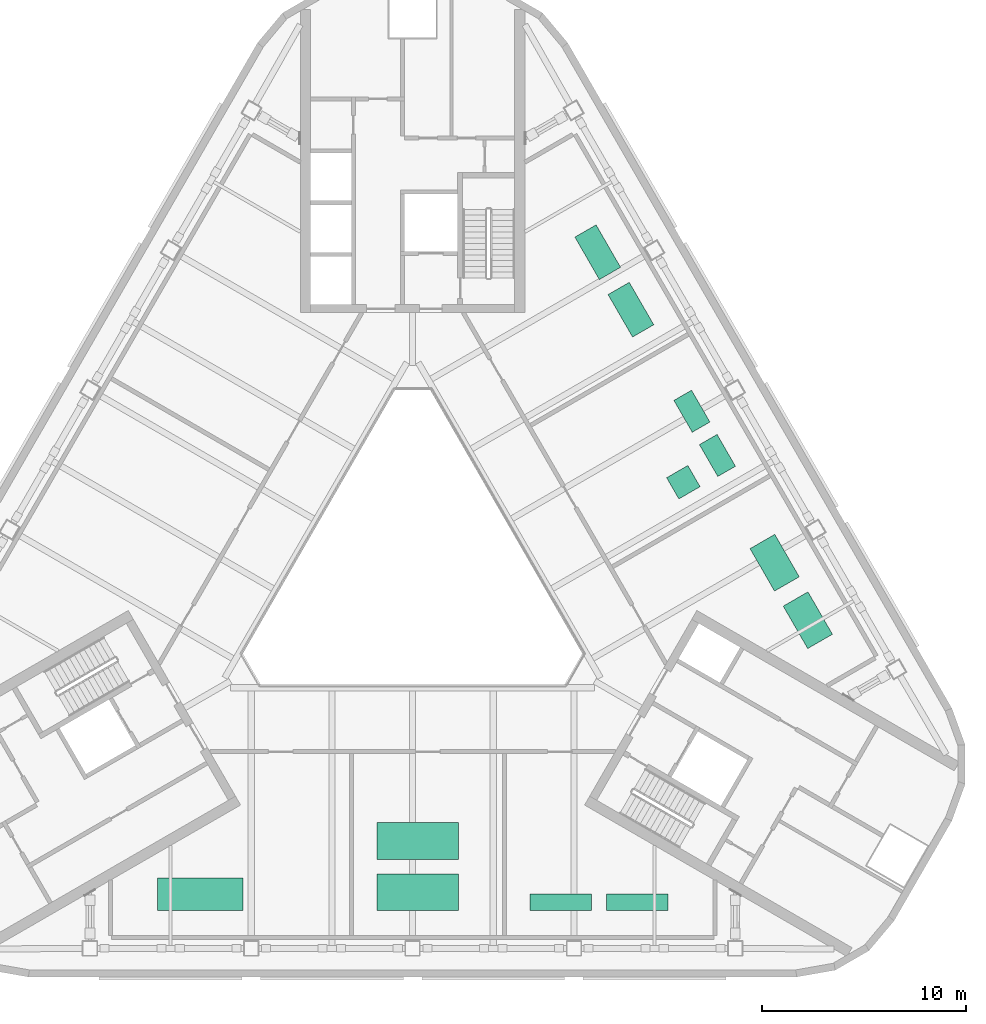
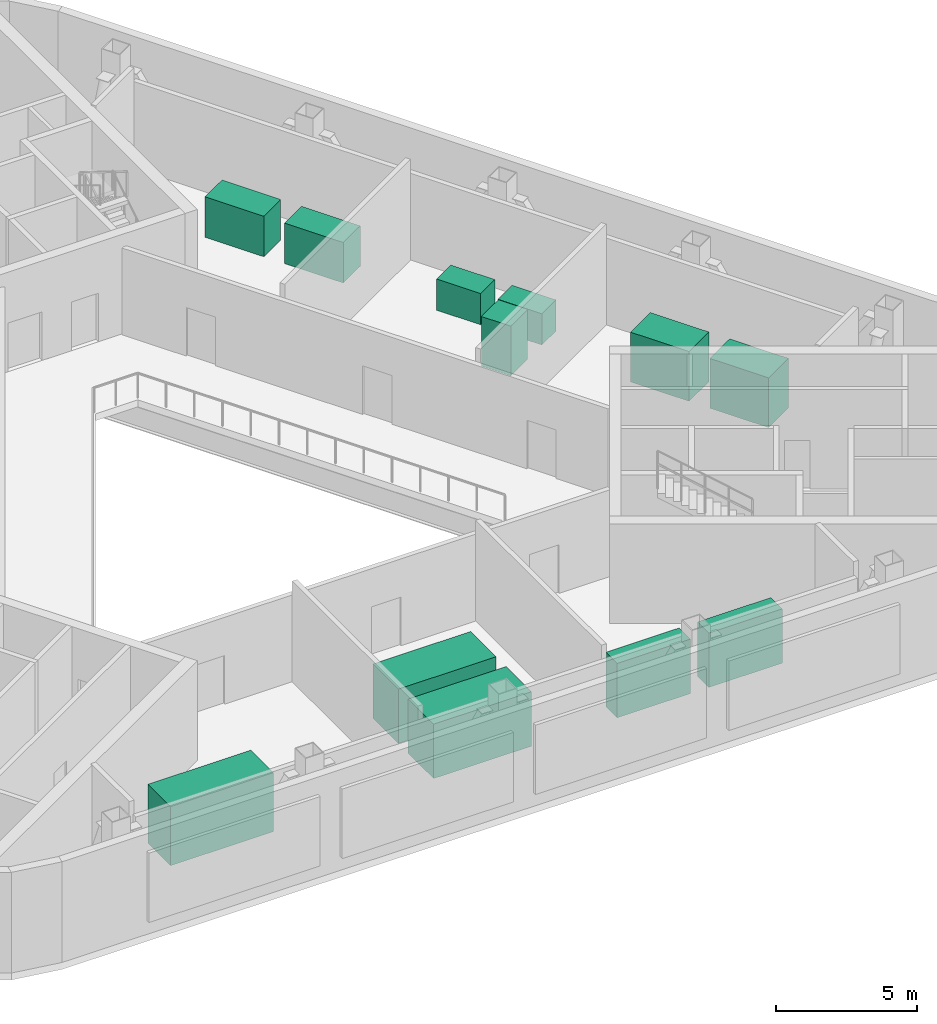
# One storey, part 14 of 14: 4 unitary equipment elements, 2 boilers, 2 electric distribution boards, 2 pumps, 1 electric generator, 1 tank.
"""IFC4 building model written with IfcOpenShell, lengths in metres."""

from ifc_helpers import new_model, si_unit, direction, frame, origin, origin_2d, place, context, subcontext, project, spatial, rectangle, extrude, material, type_object, element, save


model = new_model("IFC4")

# Units and contexts
model_context = context("Model", 3, precision=1e-05, world=origin(), true_north=direction((0.0, 1.0)))
body_context = subcontext(model_context, "Body", "Model", "MODEL_VIEW")
ifc_project = project(units=[si_unit("LENGTHUNIT", "METRE"), si_unit("AREAUNIT", "SQUARE_METRE"), si_unit("VOLUMEUNIT", "CUBIC_METRE"), si_unit("PLANEANGLEUNIT", "RADIAN"), si_unit("MASSUNIT", "GRAM", prefix="KILO")], contexts=[model_context])

# Site, building, storey
site_placement = place(None, origin())
site = spatial("IfcSite", under=ifc_project, at=site_placement, CompositionType="ELEMENT")
building_placement = place(site_placement, origin())
building = spatial("IfcBuilding", under=site, at=building_placement, Name="Apuvela Tower Hotel", CompositionType="ELEMENT")
storey_placement = place(building_placement, frame((0.0, 0.0, 242.199951171875)))
storey = spatial("IfcBuildingStorey", under=building, at=storey_placement, Name="L59 Plant", CompositionType="ELEMENT", Elevation=242.199951171875)

# Unitary equipment
ifc_material = material(Name="Painted sheet metal casing")
unitary_equipment_type_1 = type_object("IfcUnitaryEquipmentType", Name="SPC-EQ-Air handling unit", PredefinedType="AIRHANDLER", material=ifc_material)
for number, where, z_axis, x_axis, name in (
    (1, (0.25, -15.47998046875, 0.0), (0.0, 0.0, 1.0), (1.0, 0.0, 0.0), "Air handling unit L59-S2.1"),
    (2, (0.25, -12.97998046875, 0.0), (0.0, 0.0, 1.0), (1.0, 0.0, 0.0), "Air handling unit L59-S2.2"),
):
    element("IfcUnitaryEquipment", number, at=place(storey_placement, frame(where, z_axis=z_axis, x_axis=x_axis)), inside=storey, type_object=unitary_equipment_type_1, Name=name, PredefinedType="AIRHANDLER", context=body_context, shape_type="SweptSolid", body=[
        extrude(rectangle(XDim=4.0, YDim=1.800048828125, at=origin_2d()), origin(), (0.0, 0.0, 1.0), 2.35009765625),
    ])

# Boilers
boiler_type = type_object("IfcBoilerType", Name="SPC-EQ-Boiler", PredefinedType="WATER", material=ifc_material)
for number, where, z_axis, x_axis, name in (
    (3, (19.354248046875, -2.16259765625, 0.0), (0.0, 0.0, 1.0), (-0.5, 0.866025403784, 0.0), "Boiler L59-NE1.1"),
    (4, (17.729248046875, 0.652099609375, 0.0), (0.0, 0.0, 1.0), (-0.5, 0.866025403784, 0.0), "Boiler L59-NE1.2"),
):
    element("IfcBoiler", number, at=place(storey_placement, frame(where, z_axis=z_axis, x_axis=x_axis)), inside=storey, type_object=boiler_type, Name=name, PredefinedType="WATER", context=body_context, shape_type="SweptSolid", body=[
        extrude(rectangle(XDim=2.39990234375, YDim=1.39990234375, at=origin_2d()), origin(), (0.0, 0.0, 1.0), 2.14990234375),
    ])

# Pumps
pump_type = type_object("IfcPumpType", Name="SPC-EQ-Condenser water pump", PredefinedType="CIRCULATOR", material=ifc_material)
for number, where, z_axis, x_axis, name in (
    (5, (14.927490234375, 5.90478515625, 0.0), (0.0, 0.0, 1.0), (-0.5, 0.866025403784, 0.0), "Condenser water pump L59-NE2.1"),
    (6, (13.677490234375, 8.06982421875, 0.0), (0.0, 0.0, 1.0), (-0.5, 0.866025403784, 0.0), "Condenser water pump L59-NE2.2"),
):
    element("IfcPump", number, at=place(storey_placement, frame(where, z_axis=z_axis, x_axis=x_axis)), inside=storey, type_object=pump_type, Name=name, PredefinedType="CIRCULATOR", context=body_context, shape_type="SweptSolid", body=[
        extrude(rectangle(XDim=1.800048828125, YDim=1.0, at=origin_2d()), origin(), (0.0, 0.0, 1.0), 1.35009765625),
    ])

# Unitary equipment
unitary_equipment_type_2 = type_object("IfcUnitaryEquipmentType", Name="SPC-EQ-Fan coil plant unit", PredefinedType="AIRHANDLER", material=ifc_material)
for number, where, z_axis, x_axis, name in (
    (7, (10.69091796875, 13.04296875, 0.0), (0.0, 0.0, 1.0), (-0.5, 0.866025403784, 0.0), "Fan coil plant unit L59-NE3.1"),
    (8, (9.06591796875, 15.857421875, 0.0), (0.0, 0.0, 1.0), (-0.5, 0.866025403784, 0.0), "Fan coil plant unit L59-NE3.2"),
):
    element("IfcUnitaryEquipment", number, at=place(storey_placement, frame(where, z_axis=z_axis, x_axis=x_axis)), inside=storey, type_object=unitary_equipment_type_2, Name=name, PredefinedType="AIRHANDLER", context=body_context, shape_type="SweptSolid", body=[
        extrude(rectangle(XDim=2.39990234375, YDim=1.199951171875, at=origin_2d()), origin(), (0.0, 0.0, 1.0), 1.75),
    ])

# Tank
tank_type = type_object("IfcTankType", Name="SPC-EQ-Pressure vessel", PredefinedType="PRESSUREVESSEL", material=ifc_material)
tank_placement = place(storey_placement, frame((13.2587890625, 4.594970703125, 0.0), z_axis=(0.0, 0.0, 1.0), x_axis=(-0.5, 0.866025403784, 0.0)))
element("IfcTank", 9, at=tank_placement, inside=storey, type_object=tank_type, Name="Pressure vessel L59-NE2.3", PredefinedType="PRESSUREVESSEL", context=body_context, shape_type="SweptSolid", body=[
    extrude(rectangle(XDim=1.199951171875, YDim=1.199951171875, at=origin_2d()), origin(), (0.0, 0.0, 1.0), 2.14990234375),
])

# Electric generator
electric_generator_type = type_object("IfcElectricGeneratorType", Name="SPC-EQ-Standby generator", PredefinedType="ENGINEGENERATOR", material=ifc_material)
electric_generator_placement = place(storey_placement, frame((-10.39990234375, -15.580078125, 0.0), z_axis=(0.0, 0.0, 1.0), x_axis=(1.0, 0.0, 0.0)))
element("IfcElectricGenerator", 10, at=electric_generator_placement, inside=storey, type_object=electric_generator_type, Name="Standby generator L59-S1.1", PredefinedType="ENGINEGENERATOR", context=body_context, shape_type="SweptSolid", body=[
    extrude(rectangle(XDim=4.199951171875, YDim=1.60009765625, at=origin_2d()), origin(), (0.0, 0.0, 1.0), 2.550048828125),
])

# Electric distribution boards
electric_distribution_board_type = type_object("IfcElectricDistributionBoardType", Name="SPC-EQ-Switchboard", PredefinedType="SWITCHBOARD", material=ifc_material)
for number, where, z_axis, x_axis, name in (
    (11, (7.25, -15.97998046875, 0.0), (0.0, 0.0, 1.0), (1.0, 0.0, 0.0), "Switchboard L59-S3.1"),
    (12, (11.0, -15.97998046875, 0.0), (0.0, 0.0, 1.0), (1.0, 0.0, 0.0), "Switchboard L59-S3.2"),
):
    element("IfcElectricDistributionBoard", number, at=place(storey_placement, frame(where, z_axis=z_axis, x_axis=x_axis)), inside=storey, type_object=electric_distribution_board_type, Name=name, PredefinedType="SWITCHBOARD", context=body_context, shape_type="SweptSolid", body=[
        extrude(rectangle(XDim=3.0, YDim=0.800048828125, at=origin_2d()), origin(), (0.0, 0.0, 1.0), 2.35009765625),
    ])

save(model, "model.ifc")
